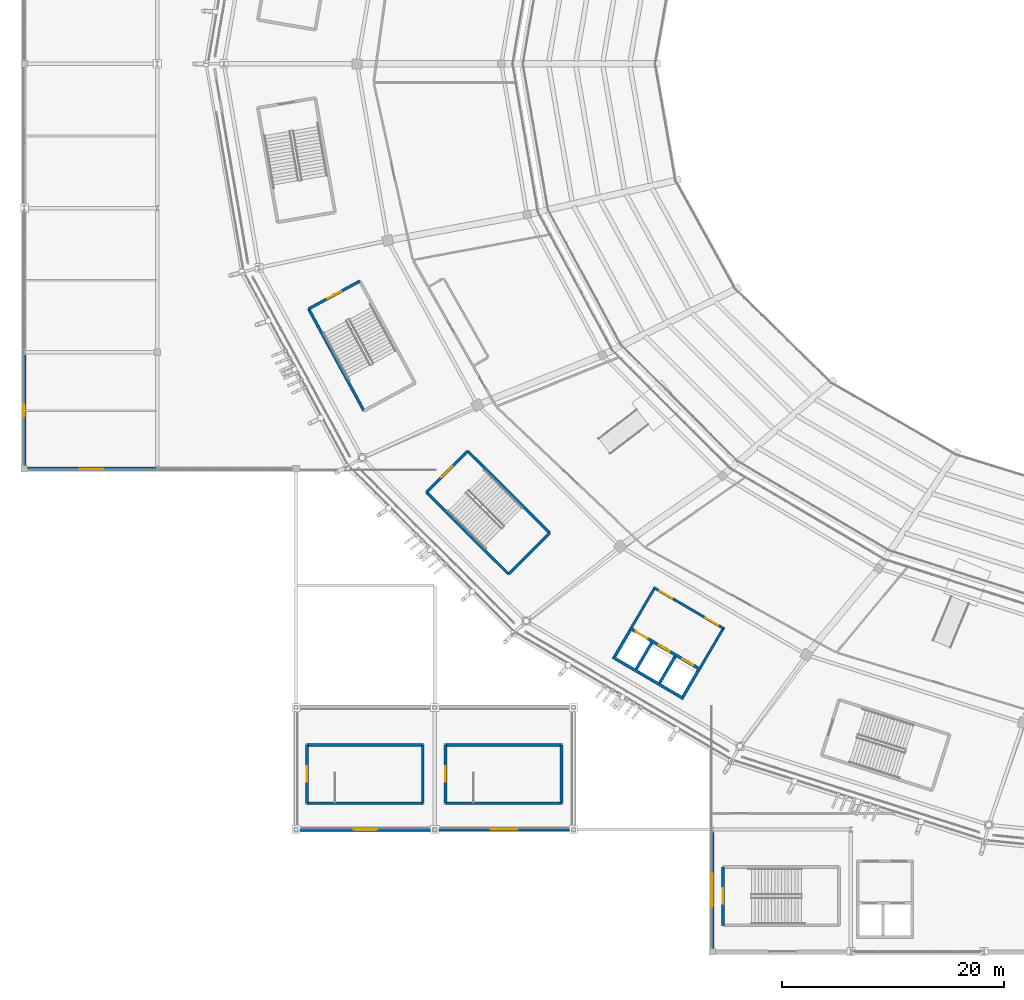
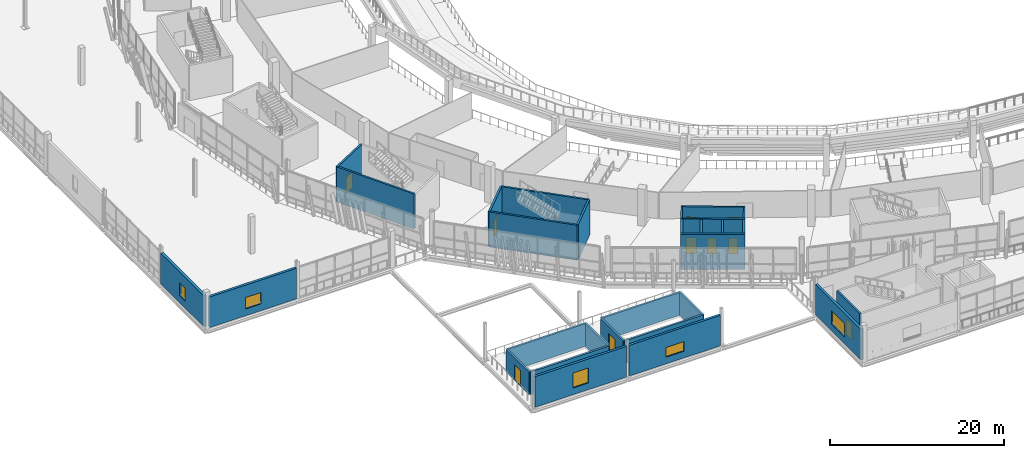
# One storey, part 120 of 178: 29 walls, 10 doors, 5 windows, 15 openings.
"""IFC4 building model written with IfcOpenShell, lengths in metres."""

from ifc_helpers import new_model, si_unit, direction, frame, frame_2d, origin, place, context, subcontext, project, spatial, rectangle, extrude, material, layer, layer_set, type_object, element, fill, save


model = new_model("IFC4")

# Units and contexts
model_context = context("Model", 3, precision=1e-05, world=origin(), true_north=direction((0.0, 1.0)))
body_context = subcontext(model_context, "Body", "Model", "MODEL_VIEW")
ifc_project = project(units=[si_unit("LENGTHUNIT", "METRE"), si_unit("AREAUNIT", "SQUARE_METRE"), si_unit("VOLUMEUNIT", "CUBIC_METRE"), si_unit("PLANEANGLEUNIT", "RADIAN"), si_unit("MASSUNIT", "GRAM", prefix="KILO")], contexts=[model_context])

# Site, building, storey
site_placement = place(None, origin())
site = spatial("IfcSite", under=ifc_project, at=site_placement, CompositionType="ELEMENT")
building_placement = place(site_placement, origin())
building = spatial("IfcBuilding", under=site, at=building_placement, Name="Zlatoyarsky Gate Stadium", CompositionType="ELEMENT")
storey_placement = place(building_placement, frame((0.0, 0.0, 5.39990234375)))
storey = spatial("IfcBuildingStorey", under=building, at=storey_placement, Name="L01", CompositionType="ELEMENT", Elevation=5.39990234375)

# Walls
ifc_material_1 = material(Name="Concrete C40/50", Category="concrete")
ifc_layer_1 = layer(ifc_material_1, 0.27001953125)
ifc_layer_set_1 = layer_set([ifc_layer_1], Name="Concrete C40/50")
wall_type_1 = type_object("IfcWallType", Name="CONCRETE LIFT SHAFT SHEAR WALL 270", PredefinedType="SHEAR", material=ifc_layer_set_1)
wall_1_placement = place(storey_placement, frame((53.037353515625, 26.541015625, 0.0), z_axis=(0.0, 0.0, 1.0), x_axis=(0.862865684113, -0.505433290534, 0.0)))
element("IfcWall", 1, at=wall_1_placement, inside=storey, type_object=wall_type_1, Name="C3 L01 lift shaft rear wall", PredefinedType="SHEAR", context=body_context, shape_type="SweptSolid", body=[
    extrude(rectangle(XDim=7.400146484375, YDim=0.27001953125, at=frame_2d((3.7001953125, 0.0))), origin(), (0.0, 0.0, 1.0), 4.920166015625),
])
for number, where, z_axis, x_axis, name in (
    (2, (53.227294921875, 26.597900390625, 0.0), (0.0, 0.0, 1.0), (0.505465660416, 0.862846722275, 0.0), "C3 L01 lift shaft left wall"),
    (3, (59.37939453125, 22.993896484375, 0.0), (0.0, 0.0, 1.0), (0.505465660416, 0.862846722275, 0.0), "C3 L01 lift shaft right wall"),
):
    element("IfcWall", number, at=place(storey_placement, frame(where, z_axis=z_axis, x_axis=x_axis)), inside=storey, type_object=wall_type_1, Name=name, PredefinedType="SHEAR", context=body_context, shape_type="SweptSolid", body=[
        extrude(rectangle(XDim=2.739990234375, YDim=0.27001953125, at=frame_2d((1.3701171875, 0.0))), origin(), (0.0, 0.0, 1.0), 4.920166015625),
    ])
wall_2_placement = place(storey_placement, frame((55.159912109375, 25.4658203125, 0.0), z_axis=(0.0, 0.0, 1.0), x_axis=(0.505504523015, 0.862823954936, 0.0)))
element("IfcWall", 4, at=wall_2_placement, inside=storey, type_object=wall_type_1, Name="C3 L01 lift shaft divider 1", PredefinedType="SHEAR", context=body_context, shape_type="SweptSolid", body=[
    extrude(rectangle(XDim=2.73974609375, YDim=0.27001953125, at=frame_2d((1.369873046875, 0.0))), origin(), (0.0, 0.0, 1.0), 4.920166015625),
])
wall_3_placement = place(storey_placement, frame((57.27392578125, 24.227294921875, 0.0), z_axis=(0.0, 0.0, 1.0), x_axis=(0.505465660416, 0.862846722275, 0.0)))
element("IfcWall", 5, at=wall_3_placement, inside=storey, type_object=wall_type_1, Name="C3 L01 lift shaft divider 2", PredefinedType="SHEAR", context=body_context, shape_type="SweptSolid", body=[
    extrude(rectangle(XDim=2.739990234375, YDim=0.27001953125, at=frame_2d((1.3701171875, 0.0))), origin(), (0.0, 0.0, 1.0), 4.920166015625),
])

# Wall, openings, doors
wall_4_placement = place(storey_placement, frame((54.569091796875, 29.155517578125, 0.0), z_axis=(0.0, 0.0, 1.0), x_axis=(0.862842866418, -0.505472242434, 0.0)))
wall_4 = element("IfcWall", 6, at=wall_4_placement, inside=storey, type_object=wall_type_1, Name="C3 L01 lift landing front wall", PredefinedType="SHEAR", context=body_context, shape_type="SweptSolid", body=[
    extrude(rectangle(XDim=7.39990234375, YDim=0.27001953125, at=frame_2d((3.699951171875, 0.0))), origin(), (0.0, 0.0, 1.0), 4.920166015625),
])
opening_1_placement = place(wall_4_placement, frame((0.64990234375, 0.0, 0.0)))
opening_1 = element("IfcOpeningElement", 7, at=opening_1_placement, cuts=wall_4, Name="Opening LD-FL-03-L01", PredefinedType="OPENING", context=body_context, shape_type="SweptSolid", body=[
    extrude(rectangle(XDim=1.199951171875, YDim=2.25, at=frame_2d((0.60009765625, 1.125))), frame((0.0, 0.14501953125, 0.0), z_axis=(0.0, -1.0, 0.0), x_axis=(1.0, 0.0, 0.0)), (0.0, 0.0, 1.0), 0.2900390625),
])
opening_2_placement = place(wall_4_placement, frame((3.050048828125, 0.0, 0.0)))
opening_2 = element("IfcOpeningElement", 8, at=opening_2_placement, cuts=wall_4, Name="Opening LD-LF-05-L01", PredefinedType="OPENING", context=body_context, shape_type="SweptSolid", body=[
    extrude(rectangle(XDim=1.10009765625, YDim=2.199951171875, at=frame_2d((0.550048828125, 1.10009765625))), frame((0.0, 0.14501953125, 0.0), z_axis=(0.0, -1.0, 0.0), x_axis=(1.0, 0.0, 0.0)), (0.0, 0.0, 1.0), 0.2900390625),
])
opening_3_placement = place(wall_4_placement, frame((5.5, 0.0, 0.0)))
opening_3 = element("IfcOpeningElement", 9, at=opening_3_placement, cuts=wall_4, Name="Opening LD-LF-06-L01", PredefinedType="OPENING", context=body_context, shape_type="SweptSolid", body=[
    extrude(rectangle(XDim=1.10009765625, YDim=2.199951171875, at=frame_2d((0.550048828125, 1.10009765625))), frame((0.0, 0.14501953125, 0.0), z_axis=(0.0, -1.0, 0.0), x_axis=(1.0, 0.0, 0.0)), (0.0, 0.0, 1.0), 0.2900390625),
])
ifc_material_2 = material(Name="Powder-coated steel fire door", Category="steel")
door_type_1 = type_object("IfcDoorType", Name="STAINLESS LIFT LANDING SLIDING DOOR 1100X2200", OperationType="DOUBLE_DOOR_SLIDING", PredefinedType="DOOR", material=ifc_material_2)
door_1_placement = place(opening_2_placement, origin())
door_1 = element("IfcDoor", 10, at=door_1_placement, inside=storey, type_object=door_type_1, Name="Lift LF-05 L01 sliding landing door", OperationType="DOUBLE_DOOR_SLIDING", OverallHeight=2.199951171875, OverallWidth=1.10009765625, PredefinedType="DOOR", context=body_context, shape_type="SweptSolid", body=[
    extrude(rectangle(XDim=1.10009765625, YDim=2.199951171875, at=frame_2d((0.550048828125, 1.10009765625))), frame((0.0, 0.02490234375, 0.0), z_axis=(0.0, -1.0, 0.0), x_axis=(1.0, 0.0, 0.0)), (0.0, 0.0, 1.0), 0.050048828125),
])
fill(opening_2, door_1)
door_2_placement = place(opening_3_placement, origin())
door_2 = element("IfcDoor", 11, at=door_2_placement, inside=storey, type_object=door_type_1, Name="Lift LF-06 L01 sliding landing door", OperationType="DOUBLE_DOOR_SLIDING", OverallHeight=2.199951171875, OverallWidth=1.10009765625, PredefinedType="DOOR", context=body_context, shape_type="SweptSolid", body=[
    extrude(rectangle(XDim=1.10009765625, YDim=2.199951171875, at=frame_2d((0.550048828125, 1.10009765625))), frame((0.0, 0.02490234375, 0.0), z_axis=(0.0, -1.0, 0.0), x_axis=(1.0, 0.0, 0.0)), (0.0, 0.0, 1.0), 0.050048828125),
])
fill(opening_3, door_2)
door_type_2 = type_object("IfcDoorType", Name="STAINLESS LIFT LANDING SLIDING DOOR 1200X2250", OperationType="DOUBLE_DOOR_SLIDING", PredefinedType="DOOR", material=ifc_material_2)
door_3_placement = place(opening_1_placement, origin())
door_3 = element("IfcDoor", 12, at=door_3_placement, inside=storey, type_object=door_type_2, Name="Lift FL-03 L01 sliding landing door", OperationType="DOUBLE_DOOR_SLIDING", OverallHeight=2.25, OverallWidth=1.199951171875, PredefinedType="DOOR", context=body_context, shape_type="SweptSolid", body=[
    extrude(rectangle(XDim=1.199951171875, YDim=2.25, at=frame_2d((0.60009765625, 1.125))), frame((0.0, 0.02490234375, 0.0), z_axis=(0.0, -1.0, 0.0), x_axis=(1.0, 0.0, 0.0)), (0.0, 0.0, 1.0), 0.050048828125),
])
fill(opening_1, door_3)

# Wall, opening, door
ifc_layer_2 = layer(ifc_material_1, 0.25)
ifc_layer_set_2 = layer_set([ifc_layer_2], Name="Concrete C40/50")
wall_type_2 = type_object("IfcWallType", Name="CONCRETE STAIR CORE SHEAR WALL 250", PredefinedType="SHEAR", material=ifc_layer_set_2)
wall_5_placement = place(storey_placement, frame((39.961181640625, 45.10205078125, 0.0), z_axis=(0.0, 0.0, 1.0), x_axis=(-0.705314141126, -0.708894888067, 0.0)))
wall_5 = element("IfcWall", 13, at=wall_5_placement, inside=storey, type_object=wall_type_2, Name="ST-08 L01 stair core entrance shear wall", PredefinedType="SHEAR", context=body_context, shape_type="SweptSolid", body=[
    extrude(rectangle(XDim=5.25, YDim=0.25, at=frame_2d((2.625, 0.0))), origin(), (0.0, 0.0, 1.0), 4.920166015625),
])
opening_4_placement = place(wall_5_placement, frame((1.925048828125, 0.0, 0.0)))
opening_4 = element("IfcOpeningElement", 14, at=opening_4_placement, cuts=wall_5, Name="Opening SD-ST-08-L01", PredefinedType="OPENING", context=body_context, shape_type="SweptSolid", body=[
    extrude(rectangle(XDim=1.39990234375, YDim=2.199951171875, at=frame_2d((0.699951171875, 1.10009765625))), frame((0.0, 0.135009765625, 0.0), z_axis=(0.0, -1.0, 0.0), x_axis=(1.0, 0.0, 0.0)), (0.0, 0.0, 1.0), 0.27001953125),
])
door_type_3 = type_object("IfcDoorType", Name="STAIR CORE FIRE EXIT DOOR 1400X2200", OperationType="NOTDEFINED", PredefinedType="DOOR", material=ifc_material_2)
door_4_placement = place(opening_4_placement, frame((1.39990234375, 0.0, 0.0), z_axis=(0.0, 0.0, 1.0), x_axis=(-1.0, 0.0, 0.0)))
door_4 = element("IfcDoor", 15, at=door_4_placement, inside=storey, type_object=door_type_3, Name="ST-08 L01 stair fire door", OperationType="SINGLE_SWING_LEFT", OverallHeight=2.199951171875, OverallWidth=1.39990234375, PredefinedType="DOOR", context=body_context, shape_type="SweptSolid", body=[
    extrude(rectangle(XDim=1.39990234375, YDim=2.199951171875, at=frame_2d((0.699951171875, 1.10009765625))), frame((0.0, 0.02490234375, 0.0), z_axis=(0.0, -1.0, 0.0), x_axis=(1.0, 0.0, 0.0)), (0.0, 0.0, 1.0), 0.050048828125),
])
fill(opening_4, door_4)

# Walls
wall_6_placement = place(storey_placement, frame((36.25830078125, 41.38037109375, 0.0), z_axis=(0.0, 0.0, 1.0), x_axis=(0.708891762409, -0.705317282639, 0.0)))
element("IfcWall", 16, at=wall_6_placement, inside=storey, type_object=wall_type_2, Name="ST-08 L01 stair core left shear wall", PredefinedType="SHEAR", context=body_context, shape_type="SweptSolid", body=[
    extrude(rectangle(XDim=10.449951171875, YDim=0.25, at=frame_2d((5.22509765625, 0.0))), origin(), (0.0, 0.0, 1.0), 4.920166015625),
])
wall_7_placement = place(storey_placement, frame((43.666259765625, 34.009765625, 0.0), z_axis=(0.0, 0.0, 1.0), x_axis=(0.705314141126, 0.708894888067, 0.0)))
element("IfcWall", 17, at=wall_7_placement, inside=storey, type_object=wall_type_2, Name="ST-08 L01 stair core far shear wall", PredefinedType="SHEAR", context=body_context, shape_type="SweptSolid", body=[
    extrude(rectangle(XDim=5.25, YDim=0.25, at=frame_2d((2.625, 0.0))), origin(), (0.0, 0.0, 1.0), 4.920166015625),
])
wall_8_placement = place(storey_placement, frame((47.369140625, 37.7314453125, 0.0), z_axis=(0.0, 0.0, 1.0), x_axis=(-0.708891762409, 0.705317282639, 0.0)))
element("IfcWall", 18, at=wall_8_placement, inside=storey, type_object=wall_type_2, Name="ST-08 L01 stair core right shear wall", PredefinedType="SHEAR", context=body_context, shape_type="SweptSolid", body=[
    extrude(rectangle(XDim=10.449951171875, YDim=0.25, at=frame_2d((5.22509765625, 0.0))), origin(), (0.0, 0.0, 1.0), 4.920166015625),
])

# Wall, opening, door
wall_9_placement = place(storey_placement, frame((30.246337890625, 60.420166015625, 0.0), z_axis=(0.0, 0.0, 1.0), x_axis=(-0.878961487093, -0.47689275965, 0.0)))
wall_9 = element("IfcWall", 19, at=wall_9_placement, inside=storey, type_object=wall_type_2, Name="ST-15 L01 stair core entrance shear wall", PredefinedType="SHEAR", context=body_context, shape_type="SweptSolid", body=[
    extrude(rectangle(XDim=5.25, YDim=0.25, at=frame_2d((2.625, 0.0))), origin(), (0.0, 0.0, 1.0), 4.920166015625),
])
opening_5_placement = place(wall_9_placement, frame((1.925048828125, 0.0, 0.0)))
opening_5 = element("IfcOpeningElement", 20, at=opening_5_placement, cuts=wall_9, Name="Opening SD-ST-15-L01", PredefinedType="OPENING", context=body_context, shape_type="SweptSolid", body=[
    extrude(rectangle(XDim=1.39990234375, YDim=2.199951171875, at=frame_2d((0.699951171875, 1.10009765625))), frame((0.0, 0.135009765625, 0.0), z_axis=(0.0, -1.0, 0.0), x_axis=(1.0, 0.0, 0.0)), (0.0, 0.0, 1.0), 0.27001953125),
])
door_5_placement = place(opening_5_placement, frame((1.39990234375, 0.0, 0.0), z_axis=(0.0, 0.0, 1.0), x_axis=(-1.0, 0.0, 0.0)))
door_5 = element("IfcDoor", 21, at=door_5_placement, inside=storey, type_object=door_type_3, Name="ST-15 L01 stair fire door", OperationType="SINGLE_SWING_LEFT", OverallHeight=2.199951171875, OverallWidth=1.39990234375, PredefinedType="DOOR", context=body_context, shape_type="SweptSolid", body=[
    extrude(rectangle(XDim=1.39990234375, YDim=2.199951171875, at=frame_2d((0.699951171875, 1.10009765625))), frame((0.0, 0.02490234375, 0.0), z_axis=(0.0, -1.0, 0.0), x_axis=(1.0, 0.0, 0.0)), (0.0, 0.0, 1.0), 0.050048828125),
])
fill(opening_5, door_5)

# Wall
wall_10_placement = place(storey_placement, frame((25.6318359375, 57.91650390625, 0.0), z_axis=(0.0, 0.0, 1.0), x_axis=(0.476876856974, -0.878970115125, 0.0)))
element("IfcWall", 22, at=wall_10_placement, inside=storey, type_object=wall_type_2, Name="ST-15 L01 stair core left shear wall", PredefinedType="SHEAR", context=body_context, shape_type="SweptSolid", body=[
    extrude(rectangle(XDim=10.4501953125, YDim=0.25, at=frame_2d((5.22509765625, 0.0))), origin(), (0.0, 0.0, 1.0), 4.920166015625),
])

# Wall, opening, door
wall_11_placement = place(storey_placement, frame((25.47509765625, 18.625, 0.0), z_axis=(0.0, 0.0, 1.0), x_axis=(0.0, -1.0, 0.0)))
wall_11 = element("IfcWall", 23, at=wall_11_placement, inside=storey, type_object=wall_type_2, Name="ST-21 L01 stair core entrance shear wall", PredefinedType="SHEAR", context=body_context, shape_type="SweptSolid", body=[
    extrude(rectangle(XDim=5.25, YDim=0.25, at=frame_2d((2.625, 0.0))), origin(), (0.0, 0.0, 1.0), 3.2001953125),
])
opening_6_placement = place(wall_11_placement, frame((1.925048828125, 0.0, 0.0)))
opening_6 = element("IfcOpeningElement", 24, at=opening_6_placement, cuts=wall_11, Name="Opening SD-ST-21-L01", PredefinedType="OPENING", context=body_context, shape_type="SweptSolid", body=[
    extrude(rectangle(XDim=1.39990234375, YDim=2.199951171875, at=frame_2d((0.699951171875, 1.10009765625))), frame((0.0, 0.135009765625, 0.0), z_axis=(0.0, -1.0, 0.0), x_axis=(1.0, 0.0, 0.0)), (0.0, 0.0, 1.0), 0.27001953125),
])
door_6_placement = place(opening_6_placement, frame((1.39990234375, 0.0, 0.0), z_axis=(0.0, 0.0, 1.0), x_axis=(-1.0, 0.0, 0.0)))
door_6 = element("IfcDoor", 25, at=door_6_placement, inside=storey, type_object=door_type_3, Name="ST-21 L01 stair fire door", OperationType="SINGLE_SWING_LEFT", OverallHeight=2.199951171875, OverallWidth=1.39990234375, PredefinedType="DOOR", context=body_context, shape_type="SweptSolid", body=[
    extrude(rectangle(XDim=1.39990234375, YDim=2.199951171875, at=frame_2d((0.699951171875, 1.10009765625))), frame((0.0, 0.02490234375, 0.0), z_axis=(0.0, -1.0, 0.0), x_axis=(1.0, 0.0, 0.0)), (0.0, 0.0, 1.0), 0.050048828125),
])
fill(opening_6, door_6)

# Walls
wall_12_placement = place(storey_placement, frame((25.47509765625, 13.375, 0.0), z_axis=(0.0, 0.0, 1.0), x_axis=(1.0, 0.0, 0.0)))
element("IfcWall", 26, at=wall_12_placement, inside=storey, type_object=wall_type_2, Name="ST-21 L01 stair core left shear wall", PredefinedType="SHEAR", context=body_context, shape_type="SweptSolid", body=[
    extrude(rectangle(XDim=10.449951171875, YDim=0.25, at=frame_2d((5.22509765625, 0.0))), origin(), (0.0, 0.0, 1.0), 3.2001953125),
])
wall_13_placement = place(storey_placement, frame((35.925048828125, 13.375, 0.0), z_axis=(0.0, 0.0, 1.0), x_axis=(0.0, 1.0, 0.0)))
element("IfcWall", 27, at=wall_13_placement, inside=storey, type_object=wall_type_2, Name="ST-21 L01 stair core far shear wall", PredefinedType="SHEAR", context=body_context, shape_type="SweptSolid", body=[
    extrude(rectangle(XDim=5.25, YDim=0.25, at=frame_2d((2.625, 0.0))), origin(), (0.0, 0.0, 1.0), 3.2001953125),
])
wall_14_placement = place(storey_placement, frame((35.925048828125, 18.625, 0.0), z_axis=(0.0, 0.0, 1.0), x_axis=(-1.0, 0.0, 0.0)))
element("IfcWall", 28, at=wall_14_placement, inside=storey, type_object=wall_type_2, Name="ST-21 L01 stair core right shear wall", PredefinedType="SHEAR", context=body_context, shape_type="SweptSolid", body=[
    extrude(rectangle(XDim=10.449951171875, YDim=0.25, at=frame_2d((5.22509765625, 0.0))), origin(), (0.0, 0.0, 1.0), 3.2001953125),
])

# Wall, opening, door
wall_15_placement = place(storey_placement, frame((37.97509765625, 18.625, 0.0), z_axis=(0.0, 0.0, 1.0), x_axis=(0.0, -1.0, 0.0)))
wall_15 = element("IfcWall", 29, at=wall_15_placement, inside=storey, type_object=wall_type_2, Name="ST-22 L01 stair core entrance shear wall", PredefinedType="SHEAR", context=body_context, shape_type="SweptSolid", body=[
    extrude(rectangle(XDim=5.25, YDim=0.25, at=frame_2d((2.625, 0.0))), origin(), (0.0, 0.0, 1.0), 3.2001953125),
])
opening_7_placement = place(wall_15_placement, frame((1.925048828125, 0.0, 0.0)))
opening_7 = element("IfcOpeningElement", 30, at=opening_7_placement, cuts=wall_15, Name="Opening SD-ST-22-L01", PredefinedType="OPENING", context=body_context, shape_type="SweptSolid", body=[
    extrude(rectangle(XDim=1.39990234375, YDim=2.199951171875, at=frame_2d((0.699951171875, 1.10009765625))), frame((0.0, 0.135009765625, 0.0), z_axis=(0.0, -1.0, 0.0), x_axis=(1.0, 0.0, 0.0)), (0.0, 0.0, 1.0), 0.27001953125),
])
door_7_placement = place(opening_7_placement, frame((1.39990234375, 0.0, 0.0), z_axis=(0.0, 0.0, 1.0), x_axis=(-1.0, 0.0, 0.0)))
door_7 = element("IfcDoor", 31, at=door_7_placement, inside=storey, type_object=door_type_3, Name="ST-22 L01 stair fire door", OperationType="SINGLE_SWING_RIGHT", OverallHeight=2.199951171875, OverallWidth=1.39990234375, PredefinedType="DOOR", context=body_context, shape_type="SweptSolid", body=[
    extrude(rectangle(XDim=1.39990234375, YDim=2.199951171875, at=frame_2d((0.699951171875, 1.10009765625))), frame((0.0, 0.02490234375, 0.0), z_axis=(0.0, -1.0, 0.0), x_axis=(1.0, 0.0, 0.0)), (0.0, 0.0, 1.0), 0.050048828125),
])
fill(opening_7, door_7)

# Walls
wall_16_placement = place(storey_placement, frame((37.97509765625, 13.375, 0.0), z_axis=(0.0, 0.0, 1.0), x_axis=(1.0, 0.0, 0.0)))
element("IfcWall", 32, at=wall_16_placement, inside=storey, type_object=wall_type_2, Name="ST-22 L01 stair core left shear wall", PredefinedType="SHEAR", context=body_context, shape_type="SweptSolid", body=[
    extrude(rectangle(XDim=10.449951171875, YDim=0.25, at=frame_2d((5.22509765625, 0.0))), origin(), (0.0, 0.0, 1.0), 3.2001953125),
])
wall_17_placement = place(storey_placement, frame((48.425048828125, 13.375, 0.0), z_axis=(0.0, 0.0, 1.0), x_axis=(0.0, 1.0, 0.0)))
element("IfcWall", 33, at=wall_17_placement, inside=storey, type_object=wall_type_2, Name="ST-22 L01 stair core far shear wall", PredefinedType="SHEAR", context=body_context, shape_type="SweptSolid", body=[
    extrude(rectangle(XDim=5.25, YDim=0.25, at=frame_2d((2.625, 0.0))), origin(), (0.0, 0.0, 1.0), 3.2001953125),
])
wall_18_placement = place(storey_placement, frame((48.425048828125, 18.625, 0.0), z_axis=(0.0, 0.0, 1.0), x_axis=(-1.0, 0.0, 0.0)))
element("IfcWall", 34, at=wall_18_placement, inside=storey, type_object=wall_type_2, Name="ST-22 L01 stair core right shear wall", PredefinedType="SHEAR", context=body_context, shape_type="SweptSolid", body=[
    extrude(rectangle(XDim=10.449951171875, YDim=0.25, at=frame_2d((5.22509765625, 0.0))), origin(), (0.0, 0.0, 1.0), 3.2001953125),
])

# Wall, opening, door
wall_19_placement = place(storey_placement, frame((62.97509765625, 7.625, 0.0), z_axis=(0.0, 0.0, 1.0), x_axis=(0.0, -1.0, 0.0)))
wall_19 = element("IfcWall", 35, at=wall_19_placement, inside=storey, type_object=wall_type_2, Name="ST-29 L01 stair core entrance shear wall", PredefinedType="SHEAR", context=body_context, shape_type="SweptSolid", body=[
    extrude(rectangle(XDim=5.25, YDim=0.25, at=frame_2d((2.625, 0.0))), origin(), (0.0, 0.0, 1.0), 4.920166015625),
])
opening_8_placement = place(wall_19_placement, frame((1.925048828125, 0.0, 0.0)))
opening_8 = element("IfcOpeningElement", 36, at=opening_8_placement, cuts=wall_19, Name="Opening SD-ST-29-L01", PredefinedType="OPENING", context=body_context, shape_type="SweptSolid", body=[
    extrude(rectangle(XDim=1.39990234375, YDim=2.199951171875, at=frame_2d((0.699951171875, 1.10009765625))), frame((0.0, 0.135009765625, 0.0), z_axis=(0.0, -1.0, 0.0), x_axis=(1.0, 0.0, 0.0)), (0.0, 0.0, 1.0), 0.27001953125),
])
door_8_placement = place(opening_8_placement, frame((1.39990234375, 0.0, 0.0), z_axis=(0.0, 0.0, 1.0), x_axis=(-1.0, 0.0, 0.0)))
door_8 = element("IfcDoor", 37, at=door_8_placement, inside=storey, type_object=door_type_3, Name="ST-29 L01 stair fire door", OperationType="SINGLE_SWING_LEFT", OverallHeight=2.199951171875, OverallWidth=1.39990234375, PredefinedType="DOOR", context=body_context, shape_type="SweptSolid", body=[
    extrude(rectangle(XDim=1.39990234375, YDim=2.199951171875, at=frame_2d((0.699951171875, 1.10009765625))), frame((0.0, 0.02490234375, 0.0), z_axis=(0.0, -1.0, 0.0), x_axis=(1.0, 0.0, 0.0)), (0.0, 0.0, 1.0), 0.050048828125),
])
fill(opening_8, door_8)

# Walls
ifc_material_3 = material(Name="Autoclaved aerated concrete masonry EI 120", Category="masonry")
ifc_layer_3 = layer(ifc_material_3, 0.219970703125)
ifc_layer_set_3 = layer_set([ifc_layer_3], Name="Autoclaved aerated concrete masonry EI 120")
wall_type_3 = type_object("IfcWallType", Name="FIREFIGHTING LOBBY RATED WALL 220", PredefinedType="PARTITIONING", material=ifc_layer_set_3)
for number, where, z_axis, x_axis, name in (
    (38, (54.7421875, 29.233642578125, 0.0), (0.0, 0.0, 1.0), (0.505464443681, 0.862847435051, 0.0), "C3 L01 firefighting lobby left wall"),
    (39, (60.9375, 25.6044921875, 0.0), (0.0, 0.0, 1.0), (0.505464443681, 0.862847435051, 0.0), "C3 L01 firefighting lobby right wall"),
):
    element("IfcWall", number, at=place(storey_placement, frame(where, z_axis=z_axis, x_axis=x_axis)), inside=storey, type_object=wall_type_3, Name=name, PredefinedType="PARTITIONING", context=body_context, shape_type="SweptSolid", body=[
        extrude(rectangle(XDim=3.97998046875, YDim=0.219970703125, at=frame_2d((1.989990234375, 0.0))), origin(), (0.0, 0.0, 1.0), 3.670166015625),
    ])

# Wall, openings, doors
wall_20_placement = place(storey_placement, frame((56.714599609375, 32.818359375, 0.0), z_axis=(0.0, 0.0, 1.0), x_axis=(0.862851295616, -0.505457853488, 0.0)))
wall_20 = element("IfcWall", 40, at=wall_20_placement, inside=storey, type_object=wall_type_3, Name="C3 L01 firefighting lobby front wall", PredefinedType="PARTITIONING", context=body_context, shape_type="SweptSolid", body=[
    extrude(rectangle(XDim=7.400146484375, YDim=0.219970703125, at=frame_2d((3.7001953125, 0.0))), origin(), (0.0, 0.0, 1.0), 3.670166015625),
])
opening_9_placement = place(wall_20_placement, frame((0.64990234375, 0.0, 0.0)))
opening_9 = element("IfcOpeningElement", 41, at=opening_9_placement, cuts=wall_20, Name="Opening FD-C3-L01-A", PredefinedType="OPENING", context=body_context, shape_type="SweptSolid", body=[
    extrude(rectangle(XDim=1.300048828125, YDim=2.199951171875, at=frame_2d((0.64990234375, 1.10009765625))), frame((0.0, 0.119873046875, 0.0), z_axis=(0.0, -1.0, 0.0), x_axis=(1.0, 0.0, 0.0)), (0.0, 0.0, 1.0), 0.239990234375),
])
opening_10_placement = place(wall_20_placement, frame((5.449951171875, 0.0, 0.0)))
opening_10 = element("IfcOpeningElement", 42, at=opening_10_placement, cuts=wall_20, Name="Opening FD-C3-L01-B", PredefinedType="OPENING", context=body_context, shape_type="SweptSolid", body=[
    extrude(rectangle(XDim=1.300048828125, YDim=2.199951171875, at=frame_2d((0.64990234375, 1.10009765625))), frame((0.0, 0.119873046875, 0.0), z_axis=(0.0, -1.0, 0.0), x_axis=(1.0, 0.0, 0.0)), (0.0, 0.0, 1.0), 0.239990234375),
])
door_type_4 = type_object("IfcDoorType", Name="FIREFIGHTING LOBBY FIRE DOOR 1300X2200", OperationType="NOTDEFINED", PredefinedType="DOOR", material=ifc_material_2)
door_9_placement = place(opening_9_placement, origin())
door_9 = element("IfcDoor", 43, at=door_9_placement, inside=storey, type_object=door_type_4, Name="C3 L01 firefighting lobby fire door FD-C3-L01-A", OperationType="SINGLE_SWING_LEFT", OverallHeight=2.199951171875, OverallWidth=1.300048828125, PredefinedType="DOOR", context=body_context, shape_type="SweptSolid", body=[
    extrude(rectangle(XDim=1.300048828125, YDim=2.199951171875, at=frame_2d((0.64990234375, 1.10009765625))), frame((0.0, 0.02490234375, 0.0), z_axis=(0.0, -1.0, 0.0), x_axis=(1.0, 0.0, 0.0)), (0.0, 0.0, 1.0), 0.050048828125),
])
fill(opening_9, door_9)
door_10_placement = place(opening_10_placement, origin())
door_10 = element("IfcDoor", 44, at=door_10_placement, inside=storey, type_object=door_type_4, Name="C3 L01 firefighting lobby fire door FD-C3-L01-B", OperationType="SINGLE_SWING_RIGHT", OverallHeight=2.199951171875, OverallWidth=1.300048828125, PredefinedType="DOOR", context=body_context, shape_type="SweptSolid", body=[
    extrude(rectangle(XDim=1.300048828125, YDim=2.199951171875, at=frame_2d((0.64990234375, 1.10009765625))), frame((0.0, 0.02490234375, 0.0), z_axis=(0.0, -1.0, 0.0), x_axis=(1.0, 0.0, 0.0)), (0.0, 0.0, 1.0), 0.050048828125),
])
fill(opening_10, door_10)

# Wall, opening, window
ifc_material_4 = material(Name="Limestone-faced insulated masonry wall", Category="masonry")
ifc_layer_4 = layer(ifc_material_4, 0.300048828125)
ifc_layer_set_4 = layer_set([ifc_layer_4], Name="Limestone-faced insulated masonry wall")
wall_type_4 = type_object("IfcWallType", Name="INSULATED PAVILION FACADE WALL 300", PredefinedType="STANDARD", material=ifc_layer_set_4)
wall_21_placement = place(storey_placement, frame((37.172119140625, 11.0, 0.0), z_axis=(0.0, 0.0, 1.0), x_axis=(1.0, 0.0, 0.0)))
wall_21 = element("IfcWall", 45, at=wall_21_placement, inside=storey, type_object=wall_type_4, Name="V6_SW L01 S exterior wall", PredefinedType="STANDARD", context=body_context, shape_type="SweptSolid", body=[
    extrude(rectangle(XDim=12.15576171875, YDim=0.300048828125, at=frame_2d((6.077880859375, 0.0))), origin(), (0.0, 0.0, 1.0), 4.300048828125),
])
opening_11_placement = place(wall_21_placement, frame((4.8779296875, 0.0, 0.949951171875)))
opening_11 = element("IfcOpeningElement", 46, at=opening_11_placement, cuts=wall_21, Name="Opening WN-17", PredefinedType="OPENING", context=body_context, shape_type="SweptSolid", body=[
    extrude(rectangle(XDim=2.39990234375, YDim=1.35009765625, at=frame_2d((1.199951171875, 0.675048828125))), frame((0.0, 0.159912109375, 0.0), z_axis=(0.0, -1.0, 0.0), x_axis=(1.0, 0.0, 0.0)), (0.0, 0.0, 1.0), 0.320068359375),
])
ifc_material_5 = material(Name="Triple-glazed thermally broken aluminium window", Category="aluminium")
window_type_1 = type_object("IfcWindowType", Name="TRIPLE GLAZED ALUMINIUM WINDOW 2400X1350", PartitioningType="SINGLE_PANEL", PredefinedType="WINDOW", material=ifc_material_5)
window_1_placement = place(opening_11_placement, origin())
window_1 = element("IfcWindow", 47, at=window_1_placement, inside=storey, type_object=window_type_1, Name="Exterior window WIN-L01-073", OverallHeight=1.35009765625, OverallWidth=2.39990234375, PartitioningType="SINGLE_PANEL", PredefinedType="WINDOW", context=body_context, shape_type="SweptSolid", body=[
    extrude(rectangle(XDim=2.39990234375, YDim=1.35009765625, at=frame_2d((1.199951171875, 0.675048828125))), frame((0.0, 0.030029296875, 0.0), z_axis=(0.0, -1.0, 0.0), x_axis=(1.0, 0.0, 0.0)), (0.0, 0.0, 1.0), 0.06005859375),
])
fill(opening_11, window_1)

ifc_layer_5 = layer(ifc_material_4, 0.360107421875)
ifc_layer_set_5 = layer_set([ifc_layer_5], Name="Limestone-faced insulated masonry wall")
wall_type_5 = type_object("IfcWallType", Name="LIMESTONE CLAD CAVITY WALL 360", PredefinedType="STANDARD", material=ifc_layer_set_5)
wall_22_placement = place(storey_placement, frame((0.0, 43.797119140625, 0.0), z_axis=(0.0, 0.0, 1.0), x_axis=(0.0, 1.0, 0.0)))
wall_22 = element("IfcWall", 48, at=wall_22_placement, inside=storey, type_object=wall_type_5, Name="V4_WEST L01 W_LO exterior wall", PredefinedType="STANDARD", context=body_context, shape_type="SweptSolid", body=[
    extrude(rectangle(XDim=9.98095703125, YDim=0.360107421875, at=frame_2d((4.990478515625, 0.0))), origin(), (0.0, 0.0, 1.0), 4.300048828125),
])
opening_12_placement = place(wall_22_placement, frame((4.390380859375, 0.0, 0.949951171875)))
opening_12 = element("IfcOpeningElement", 49, at=opening_12_placement, cuts=wall_22, Name="Opening WN-03", PredefinedType="OPENING", context=body_context, shape_type="SweptSolid", body=[
    extrude(rectangle(XDim=1.199951171875, YDim=1.85009765625, at=frame_2d((0.60009765625, 0.925048828125))), frame((0.0, 0.18994140625, 0.0), z_axis=(0.0, -1.0, 0.0), x_axis=(1.0, 0.0, 0.0)), (0.0, 0.0, 1.0), 0.380126953125),
])
window_type_2 = type_object("IfcWindowType", Name="TRIPLE GLAZED ALUMINIUM WINDOW 1200X1850", PartitioningType="SINGLE_PANEL", PredefinedType="WINDOW", material=ifc_material_5)
window_2_placement = place(opening_12_placement, origin())
window_2 = element("IfcWindow", 50, at=window_2_placement, inside=storey, type_object=window_type_2, Name="Exterior window WIN-L01-031", OverallHeight=1.85009765625, OverallWidth=1.199951171875, PartitioningType="SINGLE_PANEL", PredefinedType="WINDOW", context=body_context, shape_type="SweptSolid", body=[
    extrude(rectangle(XDim=1.199951171875, YDim=1.85009765625, at=frame_2d((0.60009765625, 0.925048828125))), frame((0.0, 0.030029296875, 0.0), z_axis=(0.0, -1.0, 0.0), x_axis=(1.0, 0.0, 0.0)), (0.0, 0.0, 1.0), 0.06005859375),
])
fill(opening_12, window_2)

ifc_material_6 = material(Name="Precast concrete C40/50 architectural panel", Category="concrete")
ifc_layer_6 = layer(ifc_material_6, 0.320068359375)
ifc_layer_set_6 = layer_set([ifc_layer_6], Name="Precast concrete C40/50 architectural panel")
wall_type_6 = type_object("IfcWallType", Name="PRECAST TERRACOTTA FACADE WALL 320", PredefinedType="STANDARD", material=ifc_layer_set_6)
wall_23_placement = place(storey_placement, frame((62.0, 0.297119140625, 0.0), z_axis=(0.0, 0.0, 1.0), x_axis=(0.0, 1.0, 0.0)))
wall_23 = element("IfcWall", 51, at=wall_23_placement, inside=storey, type_object=wall_type_6, Name="V3_SOUTH L01 W exterior wall", PredefinedType="STANDARD", context=body_context, shape_type="SweptSolid", body=[
    extrude(rectangle(XDim=10.48095703125, YDim=0.320068359375, at=frame_2d((5.240478515625, 0.0))), origin(), (0.0, 0.0, 1.0), 4.300048828125),
])
opening_13_placement = place(wall_23_placement, frame((3.740478515625, 0.0, 0.949951171875)))
opening_13 = element("IfcOpeningElement", 52, at=opening_13_placement, cuts=wall_23, Name="Opening WN-27", PredefinedType="OPENING", context=body_context, shape_type="SweptSolid", body=[
    extrude(rectangle(XDim=3.0, YDim=1.85009765625, at=frame_2d((1.5, 0.925048828125))), frame((0.0, 0.169921875, 0.0), z_axis=(0.0, -1.0, 0.0), x_axis=(1.0, 0.0, 0.0)), (0.0, 0.0, 1.0), 0.340087890625),
])
window_type_3 = type_object("IfcWindowType", Name="TRIPLE GLAZED ALUMINIUM WINDOW 3000X1850", PartitioningType="SINGLE_PANEL", PredefinedType="WINDOW", material=ifc_material_5)
window_3_placement = place(opening_13_placement, origin())
window_3 = element("IfcWindow", 53, at=window_3_placement, inside=storey, type_object=window_type_3, Name="Exterior window WIN-L01-027", OverallHeight=1.85009765625, OverallWidth=3.0, PartitioningType="SINGLE_PANEL", PredefinedType="WINDOW", context=body_context, shape_type="SweptSolid", body=[
    extrude(rectangle(XDim=3.0, YDim=1.85009765625, at=frame_2d((1.5, 0.925048828125))), frame((0.0, 0.030029296875, 0.0), z_axis=(0.0, -1.0, 0.0), x_axis=(1.0, 0.0, 0.0)), (0.0, 0.0, 1.0), 0.06005859375),
])
fill(opening_13, window_3)

wall_24_placement = place(storey_placement, frame((0.297119140625, 43.5, 0.0), z_axis=(0.0, 0.0, 1.0), x_axis=(1.0, 0.0, 0.0)))
wall_24 = element("IfcWall", 54, at=wall_24_placement, inside=storey, type_object=wall_type_6, Name="V4_WEST L01 S exterior wall", PredefinedType="STANDARD", context=body_context, shape_type="SweptSolid", body=[
    extrude(rectangle(XDim=11.555908203125, YDim=0.320068359375, at=frame_2d((5.77783203125, 0.0))), origin(), (0.0, 0.0, 1.0), 4.300048828125),
])
opening_14_placement = place(wall_24_placement, frame((4.72802734375, 0.0, 0.949951171875)))
opening_14 = element("IfcOpeningElement", 55, at=opening_14_placement, cuts=wall_24, Name="Opening WN-14", PredefinedType="OPENING", context=body_context, shape_type="SweptSolid", body=[
    extrude(rectangle(XDim=2.10009765625, YDim=1.60009765625, at=frame_2d((1.050048828125, 0.800048828125))), frame((0.0, 0.169921875, 0.0), z_axis=(0.0, -1.0, 0.0), x_axis=(1.0, 0.0, 0.0)), (0.0, 0.0, 1.0), 0.340087890625),
])
window_type_4 = type_object("IfcWindowType", Name="TRIPLE GLAZED ALUMINIUM WINDOW 2100X1600", PartitioningType="SINGLE_PANEL", PredefinedType="WINDOW", material=ifc_material_5)
window_4_placement = place(opening_14_placement, origin())
window_4 = element("IfcWindow", 56, at=window_4_placement, inside=storey, type_object=window_type_4, Name="Exterior window WIN-L01-042", OverallHeight=1.60009765625, OverallWidth=2.10009765625, PartitioningType="SINGLE_PANEL", PredefinedType="WINDOW", context=body_context, shape_type="SweptSolid", body=[
    extrude(rectangle(XDim=2.10009765625, YDim=1.60009765625, at=frame_2d((1.050048828125, 0.800048828125))), frame((0.0, 0.030029296875, 0.0), z_axis=(0.0, -1.0, 0.0), x_axis=(1.0, 0.0, 0.0)), (0.0, 0.0, 1.0), 0.06005859375),
])
fill(opening_14, window_4)

wall_25_placement = place(storey_placement, frame((24.672119140625, 11.0, 0.0), z_axis=(0.0, 0.0, 1.0), x_axis=(1.0, 0.0, 0.0)))
wall_25 = element("IfcWall", 57, at=wall_25_placement, inside=storey, type_object=wall_type_6, Name="V6_SW L01 S exterior wall", PredefinedType="STANDARD", context=body_context, shape_type="SweptSolid", body=[
    extrude(rectangle(XDim=12.15576171875, YDim=0.320068359375, at=frame_2d((6.077880859375, 0.0))), origin(), (0.0, 0.0, 1.0), 4.300048828125),
])
opening_15_placement = place(wall_25_placement, frame((5.028076171875, 0.0, 0.949951171875)))
opening_15 = element("IfcOpeningElement", 58, at=opening_15_placement, cuts=wall_25, Name="Opening WN-16", PredefinedType="OPENING", context=body_context, shape_type="SweptSolid", body=[
    extrude(rectangle(XDim=2.10009765625, YDim=2.10009765625, at=frame_2d((1.050048828125, 1.050048828125))), frame((0.0, 0.169921875, 0.0), z_axis=(0.0, -1.0, 0.0), x_axis=(1.0, 0.0, 0.0)), (0.0, 0.0, 1.0), 0.340087890625),
])
window_type_5 = type_object("IfcWindowType", Name="TRIPLE GLAZED ALUMINIUM WINDOW 2100X2100", PartitioningType="SINGLE_PANEL", PredefinedType="WINDOW", material=ifc_material_5)
window_5_placement = place(opening_15_placement, origin())
window_5 = element("IfcWindow", 59, at=window_5_placement, inside=storey, type_object=window_type_5, Name="Exterior window WIN-L01-072", OverallHeight=2.10009765625, OverallWidth=2.10009765625, PartitioningType="SINGLE_PANEL", PredefinedType="WINDOW", context=body_context, shape_type="SweptSolid", body=[
    extrude(rectangle(XDim=2.10009765625, YDim=2.10009765625, at=frame_2d((1.050048828125, 1.050048828125))), frame((0.0, 0.030029296875, 0.0), z_axis=(0.0, -1.0, 0.0), x_axis=(1.0, 0.0, 0.0)), (0.0, 0.0, 1.0), 0.06005859375),
])
fill(opening_15, window_5)

save(model, "model.ifc")
